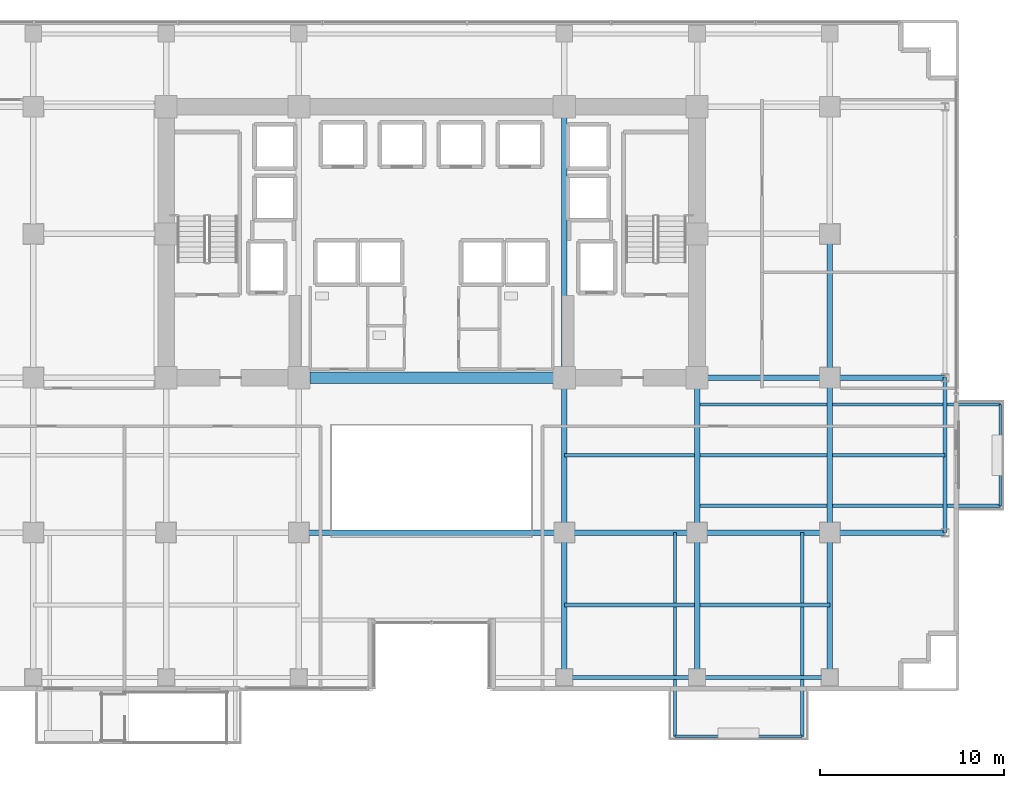
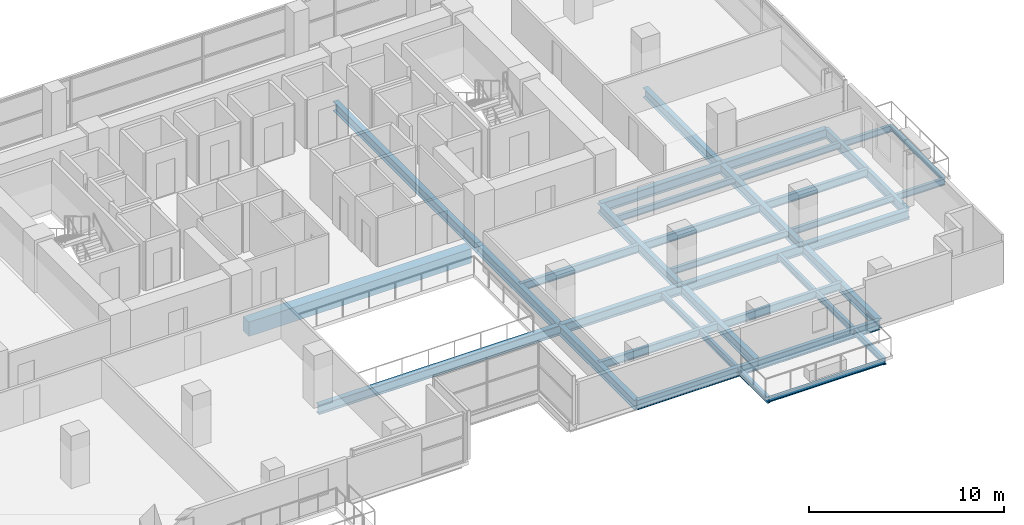
# One storey, part 13 of 30: 29 beams.
"""IFC4 building model written with IfcOpenShell, lengths in metres."""

from ifc_helpers import new_model, si_unit, direction, frame, origin, origin_2d, place, context, subcontext, project, spatial, rectangle, i_section, extrude, material, material_profile, profile_set, type_object, element, save


model = new_model("IFC4")

# Units and contexts
model_context = context("Model", 3, precision=1e-05, world=origin(), true_north=direction((0.0, 1.0)))
body_context = subcontext(model_context, "Body", "Model", "MODEL_VIEW")
ifc_project = project(units=[si_unit("LENGTHUNIT", "METRE"), si_unit("AREAUNIT", "SQUARE_METRE"), si_unit("VOLUMEUNIT", "CUBIC_METRE"), si_unit("PLANEANGLEUNIT", "RADIAN"), si_unit("MASSUNIT", "GRAM", prefix="KILO")], contexts=[model_context])

# Site, building, storey
site_placement = place(None, origin())
site = spatial("IfcSite", under=ifc_project, at=site_placement, CompositionType="ELEMENT")
building_placement = place(site_placement, origin())
building = spatial("IfcBuilding", under=site, at=building_placement, Name="Zarnakvel Exchange Tower", CompositionType="ELEMENT")
storey_placement = place(building_placement, frame((0.0, 0.0, 30.699951171875)))
storey = spatial("IfcBuildingStorey", under=building, at=storey_placement, Name="L07", CompositionType="ELEMENT", Elevation=30.699951171875)

# Beams
ifc_material_1 = material(Name="Steel S355", Category="steel")
ifc_material_profile_1 = material_profile(ifc_material_1, i_section(OverallWidth=0.199951171875, OverallDepth=0.5, WebThickness=0.01025390625, FlangeThickness=0.01611328125, FilletRadius=0.02099609375, at=origin_2d()))
ifc_profile_set_1 = profile_set([ifc_material_profile_1], Name="Steel S355")
beam_type_1 = type_object("IfcBeamType", Name="B-04", PredefinedType="JOIST", material=ifc_profile_set_1)
for number, where, z_axis, x_axis, name in (
    (1, (7.199951171875, -13.52490234375, -0.474853515625), (1.0, 0.0, 0.0), (0.0, 1.0, 0.0), "L07 Composite Floor Secondary Joist"),
    (2, (14.550048828125, -13.52490234375, -0.474853515625), (1.0, 0.0, 0.0), (0.0, 1.0, 0.0), "L07 Composite Floor Secondary Joist"),
    (3, (7.199951171875, -5.39990234375, -0.474853515625), (1.0, 0.0, 0.0), (0.0, 1.0, 0.0), "L07 Composite Floor Secondary Joist"),
):
    element("IfcBeam", number, at=place(storey_placement, frame(where, z_axis=z_axis, x_axis=x_axis)), inside=storey, type_object=beam_type_1, Name=name, PredefinedType="JOIST", context=body_context, shape_type="SweptSolid", body=[
        extrude(i_section(OverallWidth=0.199951171875, OverallDepth=0.5, WebThickness=0.01025390625, FlangeThickness=0.01611328125, FilletRadius=0.02099609375, at=origin_2d()), origin(), (0.0, 0.0, 1.0), 7.050048828125),
    ])
beam_1_placement = place(storey_placement, frame((14.550048828125, -5.39990234375, -0.474853515625), z_axis=(1.0, 0.0, 0.0), x_axis=(0.0, 1.0, 0.0)))
element("IfcBeam", 4, at=beam_1_placement, inside=storey, type_object=beam_type_1, Name="L07 Composite Floor Secondary Joist", PredefinedType="JOIST", context=body_context, shape_type="SweptSolid", body=[
    extrude(i_section(OverallWidth=0.199951171875, OverallDepth=0.5, WebThickness=0.01025390625, FlangeThickness=0.01611328125, FilletRadius=0.02099609375, at=origin_2d()), origin(), (0.0, 0.0, 1.0), 6.89990234375),
])
beam_2_placement = place(storey_placement, frame((21.75, -5.39990234375, -0.474853515625), z_axis=(1.0, 0.0, 0.0), x_axis=(0.0, 1.0, 0.0)))
element("IfcBeam", 5, at=beam_2_placement, inside=storey, type_object=beam_type_1, Name="L07 Composite Floor Secondary Joist", PredefinedType="JOIST", context=body_context, shape_type="SweptSolid", body=[
    extrude(i_section(OverallWidth=0.199951171875, OverallDepth=0.5, WebThickness=0.01025390625, FlangeThickness=0.01611328125, FilletRadius=0.02099609375, at=origin_2d()), origin(), (0.0, 0.0, 1.0), 6.10009765625),
])
ifc_material_profile_2 = material_profile(ifc_material_1, i_section(OverallWidth=0.179931640625, OverallDepth=0.39990234375, WebThickness=0.008544921875, FlangeThickness=0.013427734375, FilletRadius=0.02099609375, at=origin_2d()))
ifc_profile_set_2 = profile_set([ifc_material_profile_2], Name="Steel S355")
beam_type_2 = type_object("IfcBeamType", Name="B-06", PredefinedType="JOIST", material=ifc_profile_set_2)
for number, where, z_axis, x_axis, name in (
    (6, (13.199951171875, -9.60009765625, -0.425048828125), (0.0, -1.0, 0.0), (1.0, 0.0, 0.0), "L07 Continuous Back-Spanned Balcony Beam W"),
    (7, (20.10009765625, -9.60009765625, -0.425048828125), (0.0, -1.0, 0.0), (1.0, 0.0, 0.0), "L07 Continuous Back-Spanned Balcony Beam E"),
):
    element("IfcBeam", number, at=place(storey_placement, frame(where, z_axis=z_axis, x_axis=x_axis)), inside=storey, type_object=beam_type_2, Name=name, PredefinedType="JOIST", context=body_context, shape_type="SweptSolid", body=[
        extrude(i_section(OverallWidth=0.179931640625, OverallDepth=0.39990234375, WebThickness=0.008544921875, FlangeThickness=0.013427734375, FilletRadius=0.02099609375, at=origin_2d()), origin(), (0.0, 0.0, 1.0), 11.0498046875),
    ])
for number, where, z_axis, x_axis, name in (
    (8, (14.39990234375, -8.14990234375, -0.425048828125), (1.0, 0.0, 0.0), (0.0, 1.0, 0.0), "L07 Continuous East Loggia Beam S"),
    (9, (14.39990234375, -2.64990234375, -0.425048828125), (1.0, 0.0, 0.0), (0.0, 1.0, 0.0), "L07 Continuous East Loggia Beam N"),
):
    element("IfcBeam", number, at=place(storey_placement, frame(where, z_axis=z_axis, x_axis=x_axis)), inside=storey, type_object=beam_type_2, Name=name, PredefinedType="JOIST", context=body_context, shape_type="SweptSolid", body=[
        extrude(i_section(OverallWidth=0.179931640625, OverallDepth=0.39990234375, WebThickness=0.008544921875, FlangeThickness=0.013427734375, FilletRadius=0.02099609375, at=origin_2d()), origin(), (0.0, 0.0, 1.0), 16.4501953125),
    ])
ifc_material_profile_3 = material_profile(ifc_material_1, i_section(OverallWidth=0.14990234375, OverallDepth=0.300048828125, WebThickness=0.007080078125, FlangeThickness=0.0107421875, FilletRadius=0.014892578125, at=origin_2d()))
ifc_profile_set_3 = profile_set([ifc_material_profile_3], Name="Steel S355")
beam_type_3 = type_object("IfcBeamType", Name="B-08", PredefinedType="JOIST", material=ifc_profile_set_3)
beam_3_placement = place(storey_placement, frame((13.199951171875, -20.64990234375, -0.375), z_axis=(1.0, 0.0, 0.0), x_axis=(0.0, 1.0, 0.0)))
element("IfcBeam", 10, at=beam_3_placement, inside=storey, type_object=beam_type_3, Name="L07 Balcony Edge Beam", PredefinedType="JOIST", context=body_context, shape_type="SweptSolid", body=[
    extrude(i_section(OverallWidth=0.14990234375, OverallDepth=0.300048828125, WebThickness=0.007080078125, FlangeThickness=0.0107421875, FilletRadius=0.014892578125, at=origin_2d()), origin(), (0.0, 0.0, 1.0), 6.900146484375),
])
beam_4_placement = place(storey_placement, frame((30.85009765625, -8.14990234375, -0.375), z_axis=(0.0, 1.0, 0.0), x_axis=(-1.0, 0.0, 0.0)))
element("IfcBeam", 11, at=beam_4_placement, inside=storey, type_object=beam_type_3, Name="L07 East Loggia Edge Beam", PredefinedType="JOIST", context=body_context, shape_type="SweptSolid", body=[
    extrude(i_section(OverallWidth=0.14990234375, OverallDepth=0.300048828125, WebThickness=0.007080078125, FlangeThickness=0.0107421875, FilletRadius=0.014892578125, at=origin_2d()), origin(), (0.0, 0.0, 1.0), 5.5),
])
ifc_material_2 = material(Name="Concrete C80/95", Category="concrete")
ifc_material_profile_4 = material_profile(ifc_material_2, rectangle(XDim=0.60009765625, YDim=0.89990234375, at=origin_2d()))
ifc_profile_set_4 = profile_set([ifc_material_profile_4], Name="Concrete C80/95")
beam_type_4 = type_object("IfcBeamType", Name="CB-01", PredefinedType="LINTEL", material=ifc_profile_set_4)
beam_5_placement = place(storey_placement, frame((-6.60009765625, -1.199951171875, -0.675048828125), z_axis=(1.0, 0.0, 0.0), x_axis=(0.0, 1.0, 0.0)))
element("IfcBeam", 12, at=beam_5_placement, inside=storey, type_object=beam_type_4, Name="L07 Rear Core South Coupling Beam (CB-01)", PredefinedType="LINTEL", context=body_context, shape_type="SweptSolid", body=[
    extrude(rectangle(XDim=0.60009765625, YDim=0.89990234375, at=origin_2d()), origin(), (0.0, 0.0, 1.0), 13.2001953125),
])
ifc_material_profile_5 = material_profile(ifc_material_1, i_section(OverallWidth=0.300048828125, OverallDepth=0.60009765625, WebThickness=0.015380859375, FlangeThickness=0.030029296875, FilletRadius=0.027099609375, at=origin_2d()))
ifc_profile_set_5 = profile_set([ifc_material_profile_5], Name="Steel S355")
beam_type_5 = type_object("IfcBeamType", Name="G-04", PredefinedType="BEAM", material=ifc_profile_set_5)
beam_6_placement = place(storey_placement, frame((-7.199951171875, -9.60009765625, -0.52490234375), z_axis=(1.0, 0.0, 0.0), x_axis=(0.0, 1.0, 0.0)))
element("IfcBeam", 13, at=beam_6_placement, inside=storey, type_object=beam_type_5, Name="L07 Tower E-W Frame Beam", PredefinedType="BEAM", context=body_context, shape_type="SweptSolid", body=[
    extrude(i_section(OverallWidth=0.300048828125, OverallDepth=0.60009765625, WebThickness=0.015380859375, FlangeThickness=0.030029296875, FilletRadius=0.027099609375, at=origin_2d()), origin(), (0.0, 0.0, 1.0), 14.39990234375),
])
beam_7_placement = place(storey_placement, frame((7.199951171875, -9.60009765625, -0.52490234375), z_axis=(1.0, 0.0, 0.0), x_axis=(0.0, 1.0, 0.0)))
element("IfcBeam", 14, at=beam_7_placement, inside=storey, type_object=beam_type_5, Name="L07 Tower E-W Frame Beam", PredefinedType="BEAM", context=body_context, shape_type="SweptSolid", body=[
    extrude(i_section(OverallWidth=0.300048828125, OverallDepth=0.60009765625, WebThickness=0.015380859375, FlangeThickness=0.030029296875, FilletRadius=0.027099609375, at=origin_2d()), origin(), (0.0, 0.0, 1.0), 7.199951171875),
])
beam_8_placement = place(storey_placement, frame((14.39990234375, -9.60009765625, -0.52490234375), z_axis=(1.0, 0.0, 0.0), x_axis=(0.0, 1.0, 0.0)))
element("IfcBeam", 15, at=beam_8_placement, inside=storey, type_object=beam_type_5, Name="L07 Tower E-W Frame Beam", PredefinedType="BEAM", context=body_context, shape_type="SweptSolid", body=[
    extrude(i_section(OverallWidth=0.300048828125, OverallDepth=0.60009765625, WebThickness=0.015380859375, FlangeThickness=0.030029296875, FilletRadius=0.027099609375, at=origin_2d()), origin(), (0.0, 0.0, 1.0), 7.2001953125),
])
beam_9_placement = place(storey_placement, frame((21.60009765625, -9.60009765625, -0.52490234375), z_axis=(1.0, 0.0, 0.0), x_axis=(0.0, 1.0, 0.0)))
element("IfcBeam", 16, at=beam_9_placement, inside=storey, type_object=beam_type_5, Name="L07 Tower E-W Frame Beam", PredefinedType="BEAM", context=body_context, shape_type="SweptSolid", body=[
    extrude(i_section(OverallWidth=0.300048828125, OverallDepth=0.60009765625, WebThickness=0.015380859375, FlangeThickness=0.030029296875, FilletRadius=0.027099609375, at=origin_2d()), origin(), (0.0, 0.0, 1.0), 6.25),
])
beam_10_placement = place(storey_placement, frame((14.39990234375, -1.199951171875, -0.52490234375), z_axis=(1.0, 0.0, 0.0), x_axis=(0.0, 1.0, 0.0)))
element("IfcBeam", 17, at=beam_10_placement, inside=storey, type_object=beam_type_5, Name="L07 Tower E-W Frame Beam", PredefinedType="BEAM", context=body_context, shape_type="SweptSolid", body=[
    extrude(i_section(OverallWidth=0.300048828125, OverallDepth=0.60009765625, WebThickness=0.015380859375, FlangeThickness=0.030029296875, FilletRadius=0.027099609375, at=origin_2d()), origin(), (0.0, 0.0, 1.0), 7.2001953125),
])
beam_11_placement = place(storey_placement, frame((21.60009765625, -1.199951171875, -0.52490234375), z_axis=(1.0, 0.0, 0.0), x_axis=(0.0, 1.0, 0.0)))
element("IfcBeam", 18, at=beam_11_placement, inside=storey, type_object=beam_type_5, Name="L07 Tower E-W Frame Beam", PredefinedType="BEAM", context=body_context, shape_type="SweptSolid", body=[
    extrude(i_section(OverallWidth=0.300048828125, OverallDepth=0.60009765625, WebThickness=0.015380859375, FlangeThickness=0.030029296875, FilletRadius=0.027099609375, at=origin_2d()), origin(), (0.0, 0.0, 1.0), 6.25),
])
beam_12_placement = place(storey_placement, frame((7.199951171875, -17.449951171875, -0.52490234375), z_axis=(0.0, 1.0, 0.0), x_axis=(-1.0, 0.0, 0.0)))
element("IfcBeam", 19, at=beam_12_placement, inside=storey, type_object=beam_type_5, Name="L07 Tower N-S Frame Beam", PredefinedType="BEAM", context=body_context, shape_type="SweptSolid", body=[
    extrude(i_section(OverallWidth=0.300048828125, OverallDepth=0.60009765625, WebThickness=0.015380859375, FlangeThickness=0.030029296875, FilletRadius=0.027099609375, at=origin_2d()), origin(), (0.0, 0.0, 1.0), 7.849853515625),
])
beam_13_placement = place(storey_placement, frame((7.199951171875, -9.60009765625, -0.52490234375), z_axis=(0.0, 1.0, 0.0), x_axis=(-1.0, 0.0, 0.0)))
element("IfcBeam", 20, at=beam_13_placement, inside=storey, type_object=beam_type_5, Name="L07 Tower N-S Frame Beam", PredefinedType="BEAM", context=body_context, shape_type="SweptSolid", body=[
    extrude(i_section(OverallWidth=0.300048828125, OverallDepth=0.60009765625, WebThickness=0.015380859375, FlangeThickness=0.030029296875, FilletRadius=0.027099609375, at=origin_2d()), origin(), (0.0, 0.0, 1.0), 8.400146484375),
])
beam_14_placement = place(storey_placement, frame((7.199951171875, -1.199951171875, -0.52490234375), z_axis=(0.0, 1.0, 0.0), x_axis=(-1.0, 0.0, 0.0)))
element("IfcBeam", 21, at=beam_14_placement, inside=storey, type_object=beam_type_5, Name="L07 Tower N-S Frame Beam", PredefinedType="BEAM", context=body_context, shape_type="SweptSolid", body=[
    extrude(i_section(OverallWidth=0.300048828125, OverallDepth=0.60009765625, WebThickness=0.015380859375, FlangeThickness=0.030029296875, FilletRadius=0.027099609375, at=origin_2d()), origin(), (0.0, 0.0, 1.0), 14.699951171875),
])
beam_15_placement = place(storey_placement, frame((14.39990234375, -17.449951171875, -0.52490234375), z_axis=(0.0, 1.0, 0.0), x_axis=(-1.0, 0.0, 0.0)))
element("IfcBeam", 22, at=beam_15_placement, inside=storey, type_object=beam_type_5, Name="L07 Tower N-S Frame Beam", PredefinedType="BEAM", context=body_context, shape_type="SweptSolid", body=[
    extrude(i_section(OverallWidth=0.300048828125, OverallDepth=0.60009765625, WebThickness=0.015380859375, FlangeThickness=0.030029296875, FilletRadius=0.027099609375, at=origin_2d()), origin(), (0.0, 0.0, 1.0), 7.849853515625),
])
beam_16_placement = place(storey_placement, frame((14.39990234375, -9.60009765625, -0.52490234375), z_axis=(0.0, 1.0, 0.0), x_axis=(-1.0, 0.0, 0.0)))
element("IfcBeam", 23, at=beam_16_placement, inside=storey, type_object=beam_type_5, Name="L07 Tower N-S Frame Beam", PredefinedType="BEAM", context=body_context, shape_type="SweptSolid", body=[
    extrude(i_section(OverallWidth=0.300048828125, OverallDepth=0.60009765625, WebThickness=0.015380859375, FlangeThickness=0.030029296875, FilletRadius=0.027099609375, at=origin_2d()), origin(), (0.0, 0.0, 1.0), 8.400146484375),
])
beam_17_placement = place(storey_placement, frame((21.60009765625, -17.449951171875, -0.52490234375), z_axis=(0.0, 1.0, 0.0), x_axis=(-1.0, 0.0, 0.0)))
element("IfcBeam", 24, at=beam_17_placement, inside=storey, type_object=beam_type_5, Name="L07 Tower N-S Frame Beam", PredefinedType="BEAM", context=body_context, shape_type="SweptSolid", body=[
    extrude(i_section(OverallWidth=0.300048828125, OverallDepth=0.60009765625, WebThickness=0.015380859375, FlangeThickness=0.030029296875, FilletRadius=0.027099609375, at=origin_2d()), origin(), (0.0, 0.0, 1.0), 7.849853515625),
])
beam_18_placement = place(storey_placement, frame((21.60009765625, -9.60009765625, -0.52490234375), z_axis=(0.0, 1.0, 0.0), x_axis=(-1.0, 0.0, 0.0)))
element("IfcBeam", 25, at=beam_18_placement, inside=storey, type_object=beam_type_5, Name="L07 Tower N-S Frame Beam", PredefinedType="BEAM", context=body_context, shape_type="SweptSolid", body=[
    extrude(i_section(OverallWidth=0.300048828125, OverallDepth=0.60009765625, WebThickness=0.015380859375, FlangeThickness=0.030029296875, FilletRadius=0.027099609375, at=origin_2d()), origin(), (0.0, 0.0, 1.0), 8.400146484375),
])
beam_19_placement = place(storey_placement, frame((21.60009765625, -1.199951171875, -0.52490234375), z_axis=(0.0, 1.0, 0.0), x_axis=(-1.0, 0.0, 0.0)))
element("IfcBeam", 26, at=beam_19_placement, inside=storey, type_object=beam_type_5, Name="L07 Tower N-S Frame Beam", PredefinedType="BEAM", context=body_context, shape_type="SweptSolid", body=[
    extrude(i_section(OverallWidth=0.300048828125, OverallDepth=0.60009765625, WebThickness=0.015380859375, FlangeThickness=0.030029296875, FilletRadius=0.027099609375, at=origin_2d()), origin(), (0.0, 0.0, 1.0), 7.800048828125),
])
ifc_material_profile_6 = material_profile(ifc_material_1, i_section(OverallWidth=0.219970703125, OverallDepth=0.60009765625, WebThickness=0.011962890625, FlangeThickness=0.01904296875, FilletRadius=0.02392578125, at=origin_2d()))
ifc_profile_set_6 = profile_set([ifc_material_profile_6], Name="Steel S355")
beam_type_6 = type_object("IfcBeamType", Name="SP-01", PredefinedType="SPANDREL", material=ifc_profile_set_6)
beam_20_placement = place(storey_placement, frame((7.199951171875, -17.449951171875, -0.52490234375), z_axis=(1.0, 0.0, 0.0), x_axis=(0.0, 1.0, 0.0)))
element("IfcBeam", 27, at=beam_20_placement, inside=storey, type_object=beam_type_6, Name="L07 Tower E-W Frame Beam", PredefinedType="SPANDREL", context=body_context, shape_type="SweptSolid", body=[
    extrude(i_section(OverallWidth=0.219970703125, OverallDepth=0.60009765625, WebThickness=0.011962890625, FlangeThickness=0.01904296875, FilletRadius=0.02392578125, at=origin_2d()), origin(), (0.0, 0.0, 1.0), 7.199951171875),
])
beam_21_placement = place(storey_placement, frame((14.39990234375, -17.449951171875, -0.52490234375), z_axis=(1.0, 0.0, 0.0), x_axis=(0.0, 1.0, 0.0)))
element("IfcBeam", 28, at=beam_21_placement, inside=storey, type_object=beam_type_6, Name="L07 Tower E-W Frame Beam", PredefinedType="SPANDREL", context=body_context, shape_type="SweptSolid", body=[
    extrude(i_section(OverallWidth=0.219970703125, OverallDepth=0.60009765625, WebThickness=0.011962890625, FlangeThickness=0.01904296875, FilletRadius=0.02392578125, at=origin_2d()), origin(), (0.0, 0.0, 1.0), 7.2001953125),
])
beam_22_placement = place(storey_placement, frame((27.85009765625, -9.60009765625, -0.52490234375), z_axis=(0.0, 1.0, 0.0), x_axis=(-1.0, 0.0, 0.0)))
element("IfcBeam", 29, at=beam_22_placement, inside=storey, type_object=beam_type_6, Name="L07 Tower N-S Frame Beam", PredefinedType="SPANDREL", context=body_context, shape_type="SweptSolid", body=[
    extrude(i_section(OverallWidth=0.219970703125, OverallDepth=0.60009765625, WebThickness=0.011962890625, FlangeThickness=0.01904296875, FilletRadius=0.02392578125, at=origin_2d()), origin(), (0.0, 0.0, 1.0), 8.400146484375),
])

save(model, "model.ifc")
